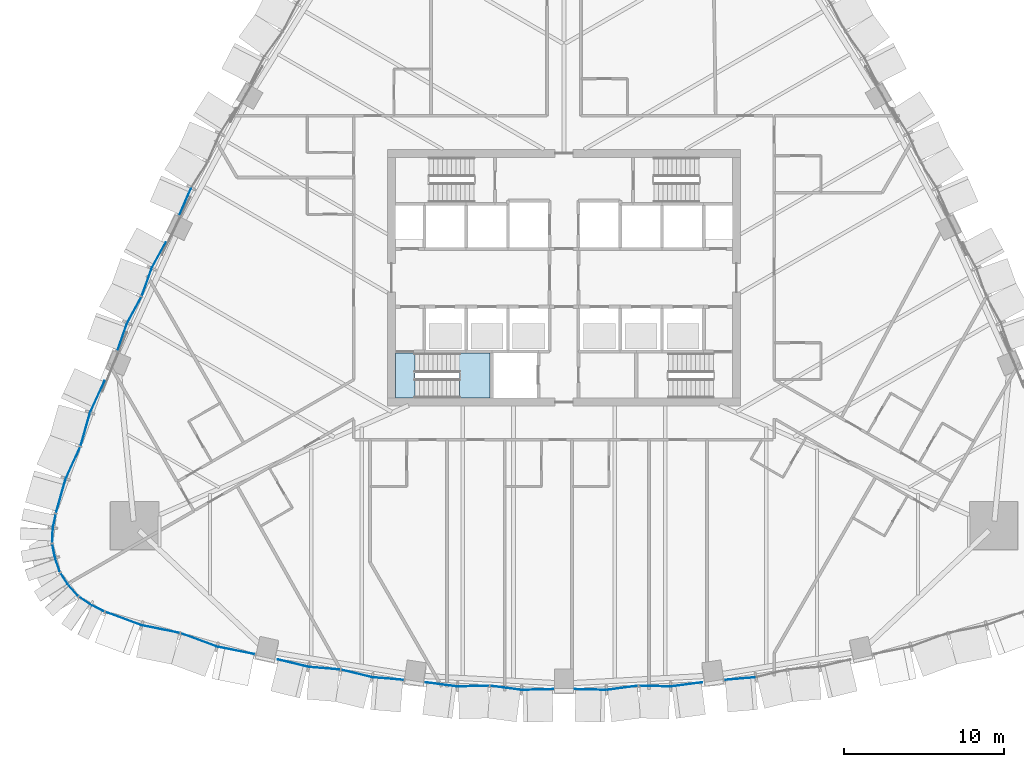
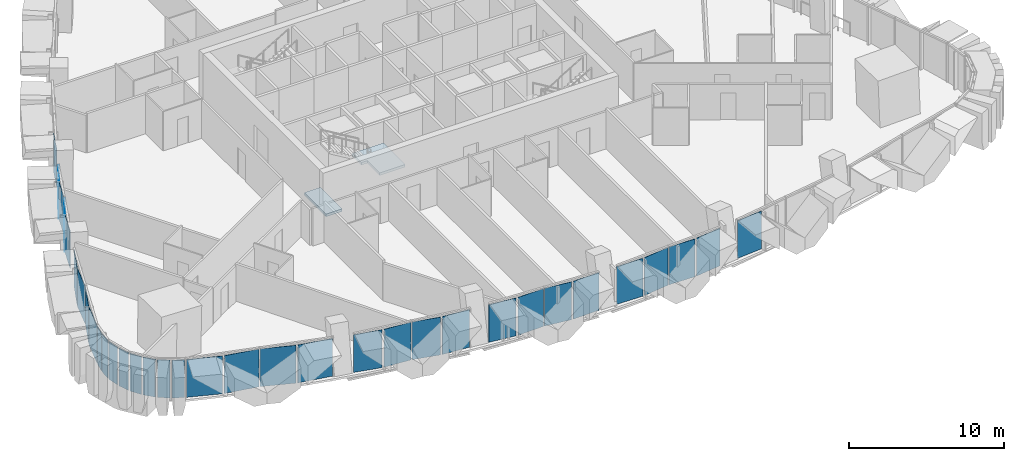
# One storey, part 9 of 22: 34 plates, 2 slabs, 13 elements without a shape of their own.
"""IFC4 building model written with IfcOpenShell, lengths in metres."""

import ifcopenshell
import ifcopenshell.guid

model = None  # the IFC model being written
_history = None  # IfcOwnerHistory: only IFC2X3 demands one
_inside = {}  # id of a spatial element -> (the spatial element, [elements in it])
_under = {}  # id of a project, library or spatial element -> (it, [spatial elements below it])
_declared = {}  # id of a project -> (the project, [libraries it declares])
_typed = {}  # id of a type object -> (the type object, [elements of that type])
_made_of = {}  # id of a material, layer set ... -> (it, [elements and type objects made of it])


def new_model(schema):
    """Start an empty IFC model of exactly this schema.

    Asked for "IFC4X3", IfcOpenShell would pick the latest addendum, in which some entities
    have other attributes; the version numbers below select the first issue.
    IFC2X3 requires an IfcOwnerHistory on every rooted entity: one is made here for all.
    """
    global model, _history
    if schema == "IFC4X3":
        model = ifcopenshell.file(schema_version=(4, 3, 0, 0))
    else:
        model = ifcopenshell.file(schema=schema)
    _inside.clear()
    _under.clear()
    _declared.clear()
    _typed.clear()
    _made_of.clear()
    _history = None
    if model.schema == "IFC2X3":
        org = make("IfcOrganization", Name="unknown")
        user = make(
            "IfcPersonAndOrganization",
            ThePerson=make("IfcPerson", FamilyName="unknown"),
            TheOrganization=org,
        )
        app = make(
            "IfcApplication",
            ApplicationDeveloper=org,
            Version="unknown",
            ApplicationFullName="unknown",
            ApplicationIdentifier="unknown",
        )
        _history = make(
            "IfcOwnerHistory",
            OwningUser=user,
            OwningApplication=app,
            ChangeAction="ADDED",
            CreationDate=0,
        )
    return model


def make(cls, **values):
    """One entity of the class cls with the attributes given. An attribute that is None is left unset."""
    return model.create_entity(
        cls, **{name: value for name, value in values.items() if value is not None}
    )


def rooted(cls, **values):
    """An entity with a GlobalId (a new one), such as an element, a storey or a relation."""
    return make(cls, GlobalId=ifcopenshell.guid.new(), OwnerHistory=_history, **values)


def si_unit(unit_type, name, prefix=None):
    """IfcSIUnit, for example si_unit("LENGTHUNIT", "METRE", prefix="MILLI")."""
    return make("IfcSIUnit", UnitType=unit_type, Prefix=prefix, Name=name)


def assignment(units):
    """IfcUnitAssignment: the units of a project."""
    return None if units is None else make("IfcUnitAssignment", Units=units)


def point(xyz):
    """IfcCartesianPoint."""
    return None if xyz is None else make("IfcCartesianPoint", Coordinates=xyz)


def direction(xyz):
    """IfcDirection."""
    return None if xyz is None else make("IfcDirection", DirectionRatios=xyz)


def frame(location, z_axis=None, x_axis=None):
    """IfcAxis2Placement3D, a coordinate frame: its origin and axes. An axis left out is left unset."""
    return make(
        "IfcAxis2Placement3D",
        Location=point(location),
        Axis=direction(z_axis),
        RefDirection=direction(x_axis),
    )


def origin():
    """The frame at (0, 0, 0) with its axes left unset."""
    return frame((0.0, 0.0, 0.0))


def place(relative_to, where):
    """IfcLocalPlacement: puts the frame where relative to a parent placement (None: the world)."""
    return make(
        "IfcLocalPlacement", PlacementRelTo=relative_to, RelativePlacement=where
    )


def context(
    kind, dimensions, precision=None, world=None, true_north=None, identifier=None
):
    """IfcGeometricRepresentationContext, for example the 3D "Model" context."""
    return make(
        "IfcGeometricRepresentationContext",
        ContextIdentifier=identifier,
        ContextType=kind,
        CoordinateSpaceDimension=dimensions,
        Precision=precision,
        WorldCoordinateSystem=world,
        TrueNorth=true_north,
    )


def subcontext(parent, identifier, kind, view, scale=None):
    """IfcGeometricRepresentationSubContext, for example "Body" below "Model"."""
    return make(
        "IfcGeometricRepresentationSubContext",
        ContextIdentifier=identifier,
        ContextType=kind,
        ParentContext=parent,
        TargetScale=scale,
        TargetView=view,
    )


def project(units=None, contexts=None):
    """IfcProject with its units and contexts."""
    return rooted(
        "IfcProject",
        Name="project",
        RepresentationContexts=contexts,
        UnitsInContext=assignment(units),
    )


def spatial(cls, under=None, at=None, **own):
    """A site, building, storey or space (cls), placed at a placement, below another one or the project."""
    s = rooted(cls, ObjectPlacement=at, **own)
    if under is not None:
        _under.setdefault(under.id(), (under, []))[1].append(s)
    return s


def polyline(points):
    """IfcPolyline through the points."""
    return make("IfcPolyline", Points=[point(p) for p in points])


def outline(outer, holes=None, kind="AREA"):
    """IfcArbitraryClosedProfileDef: a profile drawn as a closed curve; with holes, ...WithVoids."""
    if holes is None:
        return make("IfcArbitraryClosedProfileDef", ProfileType=kind, OuterCurve=outer)
    return make(
        "IfcArbitraryProfileDefWithVoids",
        ProfileType=kind,
        OuterCurve=outer,
        InnerCurves=holes,
    )


def extrude(swept, where, along, depth):
    """IfcExtrudedAreaSolid: the profile swept, set in the frame where, extruded along a direction by depth."""
    return make(
        "IfcExtrudedAreaSolid",
        SweptArea=swept,
        Position=where,
        ExtrudedDirection=direction(along),
        Depth=depth,
    )


def shape(context_of_items, identifier, shape_type, items):
    """IfcShapeRepresentation: the items that make up one representation, for example the "Body"."""
    return make(
        "IfcShapeRepresentation",
        ContextOfItems=context_of_items,
        RepresentationIdentifier=identifier,
        RepresentationType=shape_type,
        Items=items,
    )


def material(Name=None, Category=None):
    """IfcMaterial."""
    return make("IfcMaterial", Name=Name, Category=Category)


def layer(
    of_material, thickness, ventilated=None, Name=None, Category=None, Priority=None
):
    """IfcMaterialLayer: one layer of a wall or slab, of a material (None: an air gap)."""
    return make(
        "IfcMaterialLayer",
        Material=of_material,
        LayerThickness=thickness,
        IsVentilated=ventilated,
        Name=Name,
        Category=Category,
        Priority=Priority,
    )


def layer_set(layers, Name=None):
    """IfcMaterialLayerSet."""
    return make("IfcMaterialLayerSet", MaterialLayers=layers, LayerSetName=Name)


def made_of(thing, what):
    """Note that an element or type object is made of a material, layer set ...; save() writes the relation."""
    if what is not None:
        _made_of.setdefault(what.id(), (what, []))[1].append(thing)
    return thing


def type_object(cls, material=None, **own):
    """A type object (cls), such as IfcWallType, which elements share."""
    return made_of(rooted(cls, **own), material)


def element(
    cls,
    number,
    at=None,
    inside=None,
    cuts=None,
    type_object=None,
    material=None,
    context=None,
    identifier="Body",
    shape_type=None,
    held_by="IfcProductDefinitionShape",
    body=None,
    shapes=None,
    **own,
):
    """One element of the class cls, such as IfcWall. Its Tag is "e" and its number.

    at: its placement. inside: the storey or other place that contains it. cuts: it is an
    opening in that element (IfcRelVoidsElement). A single representation is given by context,
    identifier, shape_type and body (its items); several are given by shapes. held_by: the class
    of the entity that holds the representations. save() writes the other relations.
    """
    e = rooted(cls, Tag="e%d" % number, ObjectPlacement=at, **own)
    if body is not None:
        shapes = [shape(context, identifier, shape_type, body)]
    if shapes is not None:
        e.Representation = make(held_by, Representations=shapes)
    if inside is not None:
        _inside.setdefault(inside.id(), (inside, []))[1].append(e)
    if cuts is not None:
        rooted(
            "IfcRelVoidsElement", RelatingBuildingElement=cuts, RelatedOpeningElement=e
        )
    if type_object is not None:
        _typed.setdefault(type_object.id(), (type_object, []))[1].append(e)
    return made_of(e, material)


def aggregate(whole, parts):
    """IfcRelAggregates: a whole, such as a stair, and the parts it consists of."""
    return rooted("IfcRelAggregates", RelatingObject=whole, RelatedObjects=parts)


def save(model, path):
    """Write the relations noted so far, then the file.

    IfcRelAggregates (storeys below a building ...), IfcRelContainedInSpatialStructure (elements
    in a storey), IfcRelDefinesByType, IfcRelAssociatesMaterial and IfcRelDeclares: one each for
    every whole, place, type object, material and project.
    """
    for whole, parts in _under.values():
        aggregate(whole, parts)
    for where, things in _inside.values():
        rooted(
            "IfcRelContainedInSpatialStructure",
            RelatedElements=things,
            RelatingStructure=where,
        )
    for kind, things in _typed.values():
        rooted("IfcRelDefinesByType", RelatedObjects=things, RelatingType=kind)
    for what, things in _made_of.values():
        rooted("IfcRelAssociatesMaterial", RelatedObjects=things, RelatingMaterial=what)
    for by, libraries in _declared.values():
        rooted("IfcRelDeclares", RelatingContext=by, RelatedDefinitions=libraries)
    model.write(path)


model = new_model("IFC4")

# Units and contexts
model_context = context("Model", 3, precision=1e-05, world=origin(), true_north=direction((0.0, 1.0)))
body_context = subcontext(model_context, "Body", "Model", "MODEL_VIEW")
ifc_project = project(units=[si_unit("LENGTHUNIT", "METRE"), si_unit("AREAUNIT", "SQUARE_METRE"), si_unit("VOLUMEUNIT", "CUBIC_METRE"), si_unit("PLANEANGLEUNIT", "RADIAN"), si_unit("MASSUNIT", "GRAM", prefix="KILO")], contexts=[model_context])

# Site, building, storey
site_placement = place(None, origin())
site = spatial("IfcSite", under=ifc_project, at=site_placement, CompositionType="ELEMENT")
building_placement = place(site_placement, origin())
building = spatial("IfcBuilding", under=site, at=building_placement, Name="Sierra Prisma Convention Tower", CompositionType="ELEMENT")
storey_placement = place(building_placement, frame((0.0, 0.0, 62.800048828125)))
storey = spatial("IfcBuildingStorey", under=building, at=storey_placement, Name="L11", CompositionType="ELEMENT", Elevation=62.800048828125)

# Curtain wall, plates
ifc_material_1 = material(Name="Aluminium and glass curtain wall", Category="aluminium")
ifc_layer_1 = layer(ifc_material_1, 0.179931640625)
ifc_layer_set_1 = layer_set([ifc_layer_1], Name="CW-2 Faceted crystal curtain wall")
curtain_wall_type = type_object("IfcCurtainWallType", Name="CW-2 Faceted crystal curtain wall", PredefinedType="NOTDEFINED", material=ifc_layer_set_1)
curtain_wall_1_placement = place(storey_placement, origin())
curtain_wall_1 = element("IfcCurtainWall", 1, at=curtain_wall_1_placement, inside=storey, type_object=curtain_wall_type, Name="CW-2 S1 L11", PredefinedType="NOTDEFINED")
ifc_material_2 = material(Name="Tinted glass bronze-grey IGU", Category="glass")
ifc_layer_2 = layer(ifc_material_2, 0.028076171875)
ifc_layer_set_2 = layer_set([ifc_layer_2], Name="CW-2 crystal pane")
plate_type = type_object("IfcPlateType", Name="CW-2 crystal pane", PredefinedType="CURTAIN_PANEL", material=ifc_layer_set_2)
plate_1_placement = place(storey_placement, frame((-28.582763671875, -20.832763671875, 0.0), z_axis=(-0.347168825192, -0.937802648117, 0.0), x_axis=(0.937802648117, -0.347168825192, 0.0)))
plate_1 = element("IfcPlate", 2, at=plate_1_placement, type_object=plate_type, Name="CW-2 pane S1.1.1", PredefinedType="CURTAIN_PANEL", context=body_context, shape_type="SweptSolid", body=[
    extrude(outline(polyline([(0.0, 0.0), (2.3495019395068915, 0.0), (2.3495019395068915, 2.9799804687500004), (0.0, 2.9799804687500004), (0.0, 0.0)])), origin(), (0.0, 0.0, -1.0), 0.028076171875),
])
plate_2_placement = place(storey_placement, frame((-23.951171875, -22.14501953125, 0.0), z_axis=(-0.196295985228, -0.980544688519, 0.0), x_axis=(-0.980544688519, 0.196295985228, 0.0)))
plate_2 = element("IfcPlate", 3, at=plate_2_placement, type_object=plate_type, Name="CW-2 pane S1.1.2", PredefinedType="CURTAIN_PANEL", context=body_context, shape_type="SweptSolid", body=[
    extrude(outline(polyline([(0.0, 0.0), (2.349419628164942, 0.0), (2.349419628164942, -2.97998046875), (0.0, -2.97998046875), (0.0, 0.0)])), origin(), (0.0, 0.0, -1.0), 0.028076171875),
])
plate_3_placement = place(storey_placement, frame((-23.8837890625, -22.1640625, 0.0), z_axis=(-0.347168825192, -0.937802648117, 0.0), x_axis=(0.937802648117, -0.347168825192, 0.0)))
plate_3 = element("IfcPlate", 4, at=plate_3_placement, type_object=plate_type, Name="CW-2 pane S1.2.1", PredefinedType="CURTAIN_PANEL", context=body_context, shape_type="SweptSolid", body=[
    extrude(outline(polyline([(0.0, 0.0), (2.3495019395068915, 0.0), (2.3495019395068915, 2.9799804687500004), (0.0, 2.9799804687500004), (0.0, 0.0)])), origin(), (0.0, 0.0, -1.0), 0.028076171875),
])
plate_4_placement = place(storey_placement, frame((-19.252197265625, -23.476318359375, 0.0), z_axis=(-0.196295985228, -0.980544688519, 0.0), x_axis=(-0.980544688519, 0.196295985228, 0.0)))
plate_4 = element("IfcPlate", 5, at=plate_4_placement, type_object=plate_type, Name="CW-2 pane S1.2.2", PredefinedType="CURTAIN_PANEL", context=body_context, shape_type="SweptSolid", body=[
    extrude(outline(polyline([(0.0, 0.0), (2.349419628164942, 0.0), (2.349419628164942, -2.97998046875), (0.0, -2.97998046875), (0.0, 0.0)])), origin(), (0.0, 0.0, -1.0), 0.028076171875),
])
aggregate(curtain_wall_1, [plate_1, plate_2, plate_3, plate_4])

curtain_wall_2_placement = place(storey_placement, origin())
curtain_wall_2 = element("IfcCurtainWall", 6, at=curtain_wall_2_placement, inside=storey, type_object=curtain_wall_type, Name="CW-2 S2 L11", PredefinedType="NOTDEFINED")
plate_5_placement = place(storey_placement, frame((-17.854736328125, -23.79248046875, 0.0), z_axis=(-0.23744241739, -0.971401615411, 0.0), x_axis=(0.971401615411, -0.23744241739, 0.0)))
plate_5 = element("IfcPlate", 7, at=plate_5_placement, type_object=plate_type, Name="CW-2 pane S2.1.1", PredefinedType="CURTAIN_PANEL", context=body_context, shape_type="SweptSolid", body=[
    extrude(outline(polyline([(0.0, 0.0), (1.9186395221925834, 0.0), (1.9186395221925834, 2.97998046875), (0.0, 2.97998046875), (0.0, 0.0)])), origin(), (0.0, 0.0, -1.0), 0.028076171875),
])
plate_6_placement = place(storey_placement, frame((-13.951171875, -24.427490234375, 0.0), z_axis=(-0.082718987721, -0.996572912069, 0.0), x_axis=(-0.996572912069, 0.082718987721, 0.0)))
plate_6 = element("IfcPlate", 8, at=plate_6_placement, type_object=plate_type, Name="CW-2 pane S2.1.2", PredefinedType="CURTAIN_PANEL", context=body_context, shape_type="SweptSolid", body=[
    extrude(outline(polyline([(0.0, 0.0), (1.9184398965902936, 0.0), (1.9184398965902936, -2.97998046875), (0.0, -2.97998046875), (0.0, 0.0)])), origin(), (0.0, 0.0, -1.0), 0.028076171875),
])
plate_7_placement = place(storey_placement, frame((-13.882080078125, -24.438720703125, 0.0), z_axis=(-0.23744241739, -0.971401615411, 0.0), x_axis=(0.971401615411, -0.23744241739, 0.0)))
plate_7 = element("IfcPlate", 9, at=plate_7_placement, type_object=plate_type, Name="CW-2 pane S2.2.1", PredefinedType="CURTAIN_PANEL", context=body_context, shape_type="SweptSolid", body=[
    extrude(outline(polyline([(0.0, 0.0), (1.9186395221925834, 0.0), (1.9186395221925834, 2.97998046875), (0.0, 2.97998046875), (0.0, 0.0)])), origin(), (0.0, 0.0, -1.0), 0.028076171875),
])
plate_8_placement = place(storey_placement, frame((-9.978515625, -25.07373046875, 0.0), z_axis=(-0.082718987721, -0.996572912069, 0.0), x_axis=(-0.996572912069, 0.082718987721, 0.0)))
plate_8 = element("IfcPlate", 10, at=plate_8_placement, type_object=plate_type, Name="CW-2 pane S2.2.2", PredefinedType="CURTAIN_PANEL", context=body_context, shape_type="SweptSolid", body=[
    extrude(outline(polyline([(0.0, 0.0), (1.9184398965902936, 0.0), (1.9184398965902936, -2.97998046875), (0.0, -2.97998046875), (0.0, 0.0)])), origin(), (0.0, 0.0, -1.0), 0.028076171875),
])
aggregate(curtain_wall_2, [plate_5, plate_6, plate_7, plate_8])

curtain_wall_3_placement = place(storey_placement, origin())
curtain_wall_3 = element("IfcCurtainWall", 11, at=curtain_wall_3_placement, inside=storey, type_object=curtain_wall_type, Name="CW-2 S3 L11", PredefinedType="NOTDEFINED")
plate_9_placement = place(storey_placement, frame((-8.609130859375, -25.2236328125, 0.0), z_axis=(-0.131686819123, -0.991291370723, 0.0), x_axis=(0.991291370723, -0.131686819123, 0.0)))
plate_9 = element("IfcPlate", 12, at=plate_9_placement, type_object=plate_type, Name="CW-2 pane S3.1.1", PredefinedType="CURTAIN_PANEL", context=body_context, shape_type="SweptSolid", body=[
    extrude(outline(polyline([(0.0, 0.0), (1.9114212496812981, 0.0), (1.9114212496812981, 2.97998046875), (0.0, 2.97998046875), (0.0, 0.0)])), origin(), (0.0, 0.0, -1.0), 0.028076171875),
])
plate_10_placement = place(storey_placement, frame((-4.674072265625, -25.434814453125, 0.0), z_axis=(0.02490603173, -0.999689796679, 0.0), x_axis=(-0.999689796679, -0.02490603173, 0.0)))
plate_10 = element("IfcPlate", 13, at=plate_10_placement, type_object=plate_type, Name="CW-2 pane S3.1.2", PredefinedType="CURTAIN_PANEL", context=body_context, shape_type="SweptSolid", body=[
    extrude(outline(polyline([(0.0, 0.0), (1.9114816198221174, 0.0), (1.9114816198221174, -2.97998046875), (0.0, -2.97998046875), (0.0, 0.0)])), origin(), (0.0, 0.0, -1.0), 0.028076171875),
])
plate_11_placement = place(storey_placement, frame((-4.604248046875, -25.4384765625, 0.0), z_axis=(-0.131795641502, -0.991276908276, 0.0), x_axis=(0.991276908276, -0.131795641502, 0.0)))
plate_11 = element("IfcPlate", 14, at=plate_11_placement, type_object=plate_type, Name="CW-2 pane S3.2.1", PredefinedType="CURTAIN_PANEL", context=body_context, shape_type="SweptSolid", body=[
    extrude(outline(polyline([(0.0, 0.0), (1.911695425797801, 0.0), (1.911695425797801, 2.9799804687499996), (0.0, 2.9799804687499996), (0.0, 0.0)])), origin(), (0.0, 0.0, -1.0), 0.028076171875),
])
plate_12_placement = place(storey_placement, frame((-0.6689453125, -25.649658203125, 0.0), z_axis=(0.02490603173, -0.999689796679, 0.0), x_axis=(-0.999689796679, -0.02490603173, 0.0)))
plate_12 = element("IfcPlate", 15, at=plate_12_placement, type_object=plate_type, Name="CW-2 pane S3.2.2", PredefinedType="CURTAIN_PANEL", context=body_context, shape_type="SweptSolid", body=[
    extrude(outline(polyline([(0.0, 0.0), (1.9114816198221174, 0.0), (1.9114816198221174, -2.97998046875), (0.0, -2.97998046875), (0.0, 0.0)])), origin(), (0.0, 0.0, -1.0), 0.028076171875),
])
aggregate(curtain_wall_3, [plate_9, plate_10, plate_11, plate_12])

curtain_wall_4_placement = place(storey_placement, origin())
curtain_wall_4 = element("IfcCurtainWall", 16, at=curtain_wall_4_placement, inside=storey, type_object=curtain_wall_type, Name="CW-2 S4 L11", PredefinedType="NOTDEFINED")
plate_13_placement = place(storey_placement, frame((0.6689453125, -25.649658203125, 0.0), z_axis=(-0.02490603173, -0.999689796679, 0.0), x_axis=(0.999689796679, -0.02490603173, 0.0)))
plate_13 = element("IfcPlate", 17, at=plate_13_placement, type_object=plate_type, Name="CW-2 pane S4.1.1", PredefinedType="CURTAIN_PANEL", context=body_context, shape_type="SweptSolid", body=[
    extrude(outline(polyline([(0.0, 0.0), (1.9114816198221174, 0.0), (1.9114816198221174, 2.97998046875), (0.0, 2.97998046875), (0.0, 0.0)])), origin(), (0.0, 0.0, -1.0), 0.028076171875),
])
plate_14_placement = place(storey_placement, frame((4.604248046875, -25.4384765625, 0.0), z_axis=(0.131795641502, -0.991276908276, 0.0), x_axis=(-0.991276908276, -0.131795641502, 0.0)))
plate_14 = element("IfcPlate", 18, at=plate_14_placement, type_object=plate_type, Name="CW-2 pane S4.1.2", PredefinedType="CURTAIN_PANEL", context=body_context, shape_type="SweptSolid", body=[
    extrude(outline(polyline([(0.0, 0.0), (1.911695425797801, 0.0), (1.911695425797801, -2.9799804687499996), (0.0, -2.9799804687499996), (0.0, 0.0)])), origin(), (0.0, 0.0, -1.0), 0.028076171875),
])
plate_15_placement = place(storey_placement, frame((4.674072265625, -25.434814453125, 0.0), z_axis=(-0.02490603173, -0.999689796679, 0.0), x_axis=(0.999689796679, -0.02490603173, 0.0)))
plate_15 = element("IfcPlate", 19, at=plate_15_placement, type_object=plate_type, Name="CW-2 pane S4.2.1", PredefinedType="CURTAIN_PANEL", context=body_context, shape_type="SweptSolid", body=[
    extrude(outline(polyline([(0.0, 0.0), (1.9114816198221174, 0.0), (1.9114816198221174, 2.97998046875), (0.0, 2.97998046875), (0.0, 0.0)])), origin(), (0.0, 0.0, -1.0), 0.028076171875),
])
plate_16_placement = place(storey_placement, frame((8.609130859375, -25.2236328125, 0.0), z_axis=(0.131686819123, -0.991291370723, 0.0), x_axis=(-0.991291370723, -0.131686819123, 0.0)))
plate_16 = element("IfcPlate", 20, at=plate_16_placement, type_object=plate_type, Name="CW-2 pane S4.2.2", PredefinedType="CURTAIN_PANEL", context=body_context, shape_type="SweptSolid", body=[
    extrude(outline(polyline([(0.0, 0.0), (1.9114212496812981, 0.0), (1.9114212496812981, -2.97998046875), (0.0, -2.97998046875), (0.0, 0.0)])), origin(), (0.0, 0.0, -1.0), 0.028076171875),
])
aggregate(curtain_wall_4, [plate_13, plate_14, plate_15, plate_16])

# Curtain wall, plate
curtain_wall_5_placement = place(storey_placement, origin())
curtain_wall_5 = element("IfcCurtainWall", 21, at=curtain_wall_5_placement, inside=storey, type_object=curtain_wall_type, Name="CW-2 S5 L11", PredefinedType="NOTDEFINED")
plate_17_placement = place(storey_placement, frame((9.978515625, -25.07373046875, 0.0), z_axis=(0.082718987721, -0.996572912069, 0.0), x_axis=(0.996572912069, 0.082718987721, 0.0)))
plate_17 = element("IfcPlate", 22, at=plate_17_placement, type_object=plate_type, Name="CW-2 pane S5.1.1", PredefinedType="CURTAIN_PANEL", context=body_context, shape_type="SweptSolid", body=[
    extrude(outline(polyline([(0.0, 0.0), (1.9184398965902936, 0.0), (1.9184398965902936, 2.97998046875), (0.0, 2.97998046875), (0.0, 0.0)])), origin(), (0.0, 0.0, -1.0), 0.028076171875),
])
aggregate(curtain_wall_5, [plate_17])

curtain_wall_6_placement = place(storey_placement, origin())
curtain_wall_6 = element("IfcCurtainWall", 23, at=curtain_wall_6_placement, inside=storey, type_object=curtain_wall_type, Name="CW-2 NW4 L11", PredefinedType="NOTDEFINED")
plate_18_placement = place(storey_placement, frame((-23.988525390625, 3.89501953125, 0.0), z_axis=(-0.91764076503, 0.397410903669, 0.0), x_axis=(0.397410903669, 0.91764076503, 0.0)))
plate_18 = element("IfcPlate", 24, at=plate_18_placement, type_object=plate_type, Name="CW-2 pane NW4.2.2", PredefinedType="CURTAIN_PANEL", context=body_context, shape_type="SweptSolid", body=[
    extrude(outline(polyline([(0.0, 0.0), (1.812881774814985, 0.0), (1.812881774814985, -2.97998046875), (0.0, -2.97998046875), (0.0, 0.0)])), origin(), (0.0, 0.0, -1.0), 0.028076171875),
])
aggregate(curtain_wall_6, [plate_18])

# Curtain wall, plates
curtain_wall_7_placement = place(storey_placement, origin())
curtain_wall_7 = element("IfcCurtainWall", 25, at=curtain_wall_7_placement, inside=storey, type_object=curtain_wall_type, Name="CW-2 NW5 L11", PredefinedType="NOTDEFINED")
plate_19_placement = place(storey_placement, frame((-24.830322265625, 2.21044921875, 0.0), z_axis=(-0.878074594505, 0.47852377839, 0.0), x_axis=(-0.47852377839, -0.878074594505, 0.0)))
plate_19 = element("IfcPlate", 26, at=plate_19_placement, type_object=plate_type, Name="CW-2 pane NW5.1.1", PredefinedType="CURTAIN_PANEL", context=body_context, shape_type="SweptSolid", body=[
    extrude(outline(polyline([(0.0, 0.0), (1.7713983887114986, 0.0), (1.7713983887114986, 2.97998046875), (0.0, 2.97998046875), (0.0, 0.0)])), origin(), (0.0, 0.0, -1.0), 0.028076171875),
])
plate_20_placement = place(storey_placement, frame((-26.324462890625, -1.13232421875, 0.0), z_axis=(-0.942152802238, 0.335183676864, 0.0), x_axis=(0.335183676864, 0.942152802238, 0.0)))
plate_20 = element("IfcPlate", 27, at=plate_20_placement, type_object=plate_type, Name="CW-2 pane NW5.1.2", PredefinedType="CURTAIN_PANEL", context=body_context, shape_type="SweptSolid", body=[
    extrude(outline(polyline([(0.0, 0.0), (1.771416811090976, 0.0), (1.771416811090976, -2.97998046875), (0.0, -2.97998046875), (0.0, 0.0)])), origin(), (0.0, 0.0, -1.0), 0.028076171875),
])
plate_21_placement = place(storey_placement, frame((-26.35302734375, -1.196044921875, 0.0), z_axis=(-0.878164044475, 0.478359604264, 0.0), x_axis=(-0.478359604264, -0.878164044475, 0.0)))
plate_21 = element("IfcPlate", 28, at=plate_21_placement, type_object=plate_type, Name="CW-2 pane NW5.2.1", PredefinedType="CURTAIN_PANEL", context=body_context, shape_type="SweptSolid", body=[
    extrude(outline(polyline([(0.0, 0.0), (1.7714959662582896, 0.0), (1.7714959662582896, 2.97998046875), (0.0, 2.97998046875), (0.0, 0.0)])), origin(), (0.0, 0.0, -1.0), 0.028076171875),
])
plate_22_placement = place(storey_placement, frame((-27.84716796875, -4.538818359375, 0.0), z_axis=(-0.942152802238, 0.335183676864, 0.0), x_axis=(0.335183676864, 0.942152802238, 0.0)))
plate_22 = element("IfcPlate", 29, at=plate_22_placement, type_object=plate_type, Name="CW-2 pane NW5.2.2", PredefinedType="CURTAIN_PANEL", context=body_context, shape_type="SweptSolid", body=[
    extrude(outline(polyline([(0.0, 0.0), (1.771416811090976, 0.0), (1.771416811090976, -2.97998046875), (0.0, -2.97998046875), (0.0, 0.0)])), origin(), (0.0, 0.0, -1.0), 0.028076171875),
])
aggregate(curtain_wall_7, [plate_19, plate_20, plate_21, plate_22])

curtain_wall_8_placement = place(storey_placement, origin())
curtain_wall_8 = element("IfcCurtainWall", 30, at=curtain_wall_8_placement, inside=storey, type_object=curtain_wall_type, Name="CW-2 NW6 L11", PredefinedType="NOTDEFINED")
plate_23_placement = place(storey_placement, frame((-28.641845703125, -6.427001953125, 0.0), z_axis=(-0.908163479477, 0.418615688363, 0.0), x_axis=(-0.418615688363, -0.908163479477, 0.0)))
plate_23 = element("IfcPlate", 31, at=plate_23_placement, type_object=plate_type, Name="CW-2 pane NW6.1.1", PredefinedType="CURTAIN_PANEL", context=body_context, shape_type="SweptSolid", body=[
    extrude(outline(polyline([(0.0, 0.0), (2.0995540168029176, 0.0), (2.0995540168029176, 2.97998046875), (0.0, 2.97998046875), (0.0, 0.0)])), origin(), (0.0, 0.0, -1.0), 0.028076171875),
])
plate_24_placement = place(storey_placement, frame((-30.135498046875, -10.476318359375, 0.0), z_axis=(-0.962466033033, 0.271402165168, 0.0), x_axis=(0.271402165168, 0.962466033033, 0.0)))
plate_24 = element("IfcPlate", 32, at=plate_24_placement, type_object=plate_type, Name="CW-2 pane NW6.1.2", PredefinedType="CURTAIN_PANEL", context=body_context, shape_type="SweptSolid", body=[
    extrude(outline(polyline([(0.0, 0.0), (2.0995566428016534, 0.0), (2.0995566428016534, -2.9799804687499996), (0.0, -2.9799804687499996), (0.0, 0.0)])), origin(), (0.0, 0.0, -1.0), 0.028076171875),
])
plate_25_placement = place(storey_placement, frame((-30.15966796875, -10.5419921875, 0.0), z_axis=(-0.908183853426, 0.418571485384, 0.0), x_axis=(-0.418571485384, -0.908183853426, 0.0)))
plate_25 = element("IfcPlate", 33, at=plate_25_placement, type_object=plate_type, Name="CW-2 pane NW6.2.1", PredefinedType="CURTAIN_PANEL", context=body_context, shape_type="SweptSolid", body=[
    extrude(outline(polyline([(0.0, 0.0), (2.0997757388895852, 0.0), (2.0997757388895852, 2.97998046875), (0.0, 2.97998046875), (0.0, 0.0)])), origin(), (0.0, 0.0, -1.0), 0.028076171875),
])
plate_26_placement = place(storey_placement, frame((-31.6533203125, -14.591552734375, 0.0), z_axis=(-0.962474596826, 0.27137179379, 0.0), x_axis=(0.27137179379, 0.962474596826, 0.0)))
plate_26 = element("IfcPlate", 34, at=plate_26_placement, type_object=plate_type, Name="CW-2 pane NW6.2.2", PredefinedType="CURTAIN_PANEL", context=body_context, shape_type="SweptSolid", body=[
    extrude(outline(polyline([(0.0, 0.0), (2.099791620905943, 0.0), (2.099791620905943, -2.97998046875), (0.0, -2.97998046875), (0.0, 0.0)])), origin(), (0.0, 0.0, -1.0), 0.028076171875),
])
aggregate(curtain_wall_8, [plate_23, plate_24, plate_25, plate_26])

curtain_wall_9_placement = place(storey_placement, origin())
curtain_wall_9 = element("IfcCurtainWall", 35, at=curtain_wall_9_placement, inside=storey, type_object=curtain_wall_type, Name="CW-2 SW1 L11", PredefinedType="NOTDEFINED")
plate_27_placement = place(storey_placement, frame((-31.686279296875, -14.726806640625, 0.0), z_axis=(-0.97925219081, 0.202645372001, 0.0), x_axis=(-0.202645372001, -0.97925219081, 0.0)))
plate_27 = element("IfcPlate", 36, at=plate_27_placement, type_object=plate_type, Name="CW-2 pane SW1.1.1", PredefinedType="CURTAIN_PANEL", context=body_context, shape_type="SweptSolid", body=[
    extrude(outline(polyline([(0.0, 0.0), (0.8120135171380605, 0.0), (0.8120135171380605, 2.97998046875), (0.0, 2.97998046875), (0.0, 0.0)])), origin(), (0.0, 0.0, -1.0), 0.028076171875),
])
plate_28_placement = place(storey_placement, frame((-31.9052734375, -16.461669921875, 0.0), z_axis=(-0.998899876626, 0.04689388527, 0.0), x_axis=(0.04689388527, 0.998899876626, 0.0)))
plate_28 = element("IfcPlate", 37, at=plate_28_placement, type_object=plate_type, Name="CW-2 pane SW1.1.2", PredefinedType="CURTAIN_PANEL", context=body_context, shape_type="SweptSolid", body=[
    extrude(outline(polyline([(0.0, 0.0), (0.8121727871415345, 0.0), (0.8121727871415345, -2.9799804687500004), (0.0, -2.9799804687500004), (0.0, 0.0)])), origin(), (0.0, 0.0, -1.0), 0.028076171875),
])
aggregate(curtain_wall_9, [plate_27, plate_28])

curtain_wall_10_placement = place(storey_placement, origin())
curtain_wall_10 = element("IfcCurtainWall", 38, at=curtain_wall_10_placement, inside=storey, type_object=curtain_wall_type, Name="CW-2 SW2 L11", PredefinedType="NOTDEFINED")
plate_29_placement = place(storey_placement, frame((-31.89599609375, -16.5986328125, 0.0), z_axis=(-0.983041932718, -0.183380910996, 0.0), x_axis=(0.183380910996, -0.983041932718, 0.0)))
plate_29 = element("IfcPlate", 39, at=plate_29_placement, type_object=plate_type, Name="CW-2 pane SW2.1.1", PredefinedType="CURTAIN_PANEL", context=body_context, shape_type="SweptSolid", body=[
    extrude(outline(polyline([(0.0, 0.0), (0.8121116884023387, 0.0), (0.8121116884023387, 2.9799804687500004), (0.0, 2.9799804687500004), (0.0, 0.0)])), origin(), (0.0, 0.0, -1.0), 0.028076171875),
])
plate_30_placement = place(storey_placement, frame((-31.441650390625, -18.287353515625, 0.0), z_axis=(-0.94233906382, -0.334659661146, 0.0), x_axis=(-0.334659661146, 0.94233906382, 0.0)))
plate_30 = element("IfcPlate", 40, at=plate_30_placement, type_object=plate_type, Name="CW-2 pane SW2.1.2", PredefinedType="CURTAIN_PANEL", context=body_context, shape_type="SweptSolid", body=[
    extrude(outline(polyline([(0.0, 0.0), (0.8119547922041489, 0.0), (0.8119547922041489, -2.9799804687500004), (0.0, -2.9799804687500004), (0.0, 0.0)])), origin(), (0.0, 0.0, -1.0), 0.028076171875),
])
aggregate(curtain_wall_10, [plate_29, plate_30])

curtain_wall_11_placement = place(storey_placement, origin())
curtain_wall_11 = element("IfcCurtainWall", 41, at=curtain_wall_11_placement, inside=storey, type_object=curtain_wall_type, Name="CW-2 SW3 L11", PredefinedType="NOTDEFINED")
plate_31_placement = place(storey_placement, frame((-31.381103515625, -18.41064453125, 0.0), z_axis=(-0.84032757378, -0.542078932209, 0.0), x_axis=(0.542078932209, -0.84032757378, 0.0)))
plate_31 = element("IfcPlate", 42, at=plate_31_placement, type_object=plate_type, Name="CW-2 pane SW3.1.1", PredefinedType="CURTAIN_PANEL", context=body_context, shape_type="SweptSolid", body=[
    extrude(outline(polyline([(0.0, 0.0), (0.8120321981172384, 0.0), (0.8120321981172384, 2.97998046875), (0.0, 2.97998046875), (0.0, 0.0)])), origin(), (0.0, 0.0, -1.0), 0.028076171875),
])
plate_32_placement = place(storey_placement, frame((-30.321044921875, -19.80126953125, 0.0), z_axis=(-0.745398574275, -0.666619055735, 0.0), x_axis=(-0.666619055735, 0.745398574275, 0.0)))
plate_32 = element("IfcPlate", 43, at=plate_32_placement, type_object=plate_type, Name="CW-2 pane SW3.1.2", PredefinedType="CURTAIN_PANEL", context=body_context, shape_type="SweptSolid", body=[
    extrude(outline(polyline([(0.0, 0.0), (0.8119476348124621, 0.0), (0.8119476348124621, -2.97998046875), (0.0, -2.97998046875), (0.0, 0.0)])), origin(), (0.0, 0.0, -1.0), 0.028076171875),
])
aggregate(curtain_wall_11, [plate_31, plate_32])

curtain_wall_12_placement = place(storey_placement, origin())
curtain_wall_12 = element("IfcCurtainWall", 44, at=curtain_wall_12_placement, inside=storey, type_object=curtain_wall_type, Name="CW-2 SW4 L11", PredefinedType="NOTDEFINED")
plate_33_placement = place(storey_placement, frame((-30.21826171875, -19.892578125, 0.0), z_axis=(-0.572473150502, -0.819923467132, 0.0), x_axis=(0.819923467132, -0.572473150502, 0.0)))
plate_33 = element("IfcPlate", 45, at=plate_33_placement, type_object=plate_type, Name="CW-2 pane SW4.1.1", PredefinedType="CURTAIN_PANEL", context=body_context, shape_type="SweptSolid", body=[
    extrude(outline(polyline([(0.0, 0.0), (0.8119922298402575, 0.0), (0.8119922298402575, 2.97998046875), (0.0, 2.97998046875), (0.0, 0.0)])), origin(), (0.0, 0.0, -1.0), 0.028076171875),
])
plate_34_placement = place(storey_placement, frame((-28.71044921875, -20.778076171875, 0.0), z_axis=(-0.437202840872, -0.899362927818, 0.0), x_axis=(-0.899362927818, 0.437202840872, 0.0)))
plate_34 = element("IfcPlate", 46, at=plate_34_placement, type_object=plate_type, Name="CW-2 pane SW4.1.2", PredefinedType="CURTAIN_PANEL", context=body_context, shape_type="SweptSolid", body=[
    extrude(outline(polyline([(0.0, 0.0), (0.8119354120438652, 0.0), (0.8119354120438652, -2.97998046875), (0.0, -2.97998046875), (0.0, 0.0)])), origin(), (0.0, 0.0, -1.0), 0.028076171875),
])
aggregate(curtain_wall_12, [plate_33, plate_34])

# Stair, slab
ifc_material_3 = material(Name="Concrete C30/37", Category="concrete")
stair_type = type_object("IfcStairType", Name="Stair dog-leg 1200 RC", PredefinedType="HALF_TURN_STAIR", material=ifc_material_3)
stair_placement = place(storey_placement, origin())
stair = element("IfcStair", 47, at=stair_placement, inside=storey, type_object=stair_type, Name="L11 S1", PredefinedType="HALF_TURN_STAIR")
ifc_material_4 = material(Name="Concrete C35/45", Category="concrete")
ifc_layer_3 = layer(ifc_material_4, 0.199951171875)
ifc_layer_set_3 = layer_set([ifc_layer_3], Name="Stair landing slab")
slab_type = type_object("IfcSlabType", Name="Stair landing slab", PredefinedType="LANDING", material=ifc_layer_set_3)
slab_1_placement = place(storey_placement, frame((0.0, 0.0, 1.64990234375)))
slab_1 = element("IfcSlab", 48, at=slab_1_placement, type_object=slab_type, Name="S1 landing 1", PredefinedType="LANDING", context=body_context, shape_type="SweptSolid", body=[
    extrude(outline(polyline([(-4.60009765625, -4.699951171875), (-4.60009765625, -7.5), (-6.501953125, -7.5), (-6.501953125, -5.89990234375), (-6.949951171875, -5.89990234375), (-6.949951171875, -4.699951171875), (-4.60009765625, -4.699951171875)])), origin(), (0.0, 0.0, 1.0), 0.199951171875),
])
aggregate(stair, [slab_1])

# Slab
slab_2_placement = place(storey_placement, frame((0.0, 0.0, -0.199951171875)))
element("IfcSlab", 49, at=slab_2_placement, inside=storey, type_object=slab_type, Name="S1 floor landing L11", PredefinedType="LANDING", context=body_context, shape_type="SweptSolid", body=[
    extrude(outline(polyline([(-10.5, -7.5), (-9.298095703125, -7.5), (-9.298095703125, -4.699951171875), (-10.5, -4.699951171875), (-10.5, -7.5)])), origin(), (0.0, 0.0, 1.0), 0.199951171875),
])

save(model, "model.ifc")
